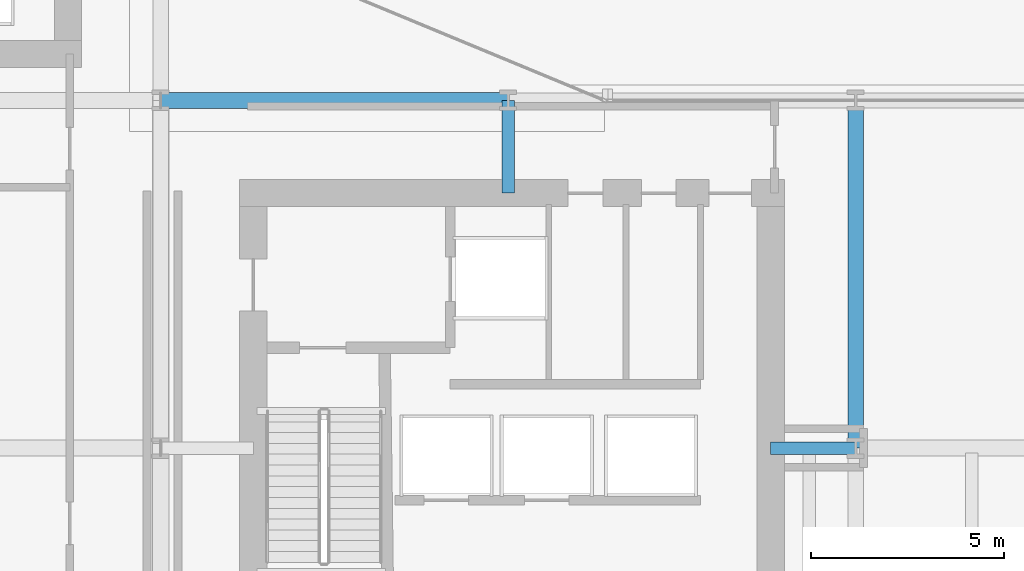
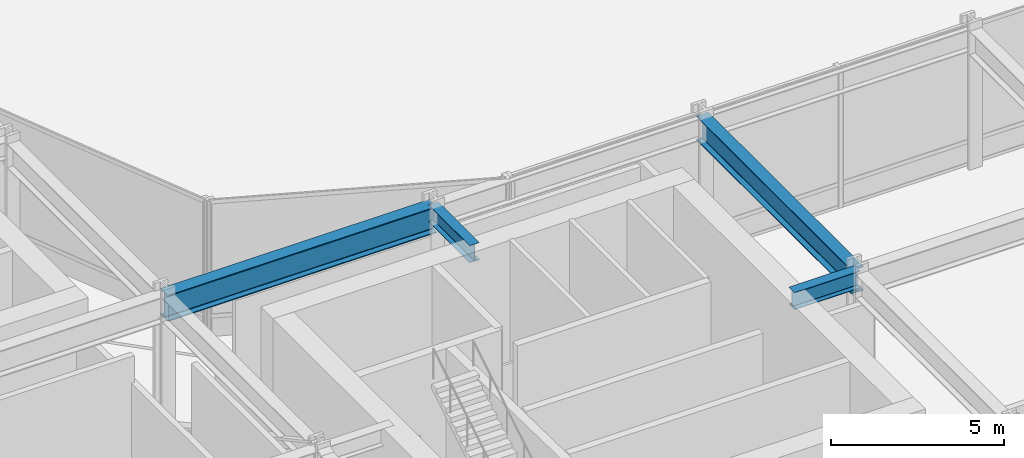
# One storey, part 12 of 37: 4 beams.
"""IFC4 building model written with IfcOpenShell, lengths in metres."""

from ifc_helpers import new_model, si_unit, direction, frame, origin, origin_2d, place, context, subcontext, project, spatial, i_section, extrude, material, material_profile, profile_set, type_object, element, save


model = new_model("IFC4")

# Units and contexts
model_context = context("Model", 3, precision=1e-05, world=origin(), true_north=direction((0.0, 1.0)))
body_context = subcontext(model_context, "Body", "Model", "MODEL_VIEW")
ifc_project = project(units=[si_unit("LENGTHUNIT", "METRE"), si_unit("AREAUNIT", "SQUARE_METRE"), si_unit("VOLUMEUNIT", "CUBIC_METRE"), si_unit("PLANEANGLEUNIT", "RADIAN"), si_unit("MASSUNIT", "GRAM", prefix="KILO")], contexts=[model_context])

# Site, building, storey
site_placement = place(None, origin())
site = spatial("IfcSite", under=ifc_project, at=site_placement, CompositionType="ELEMENT")
building_placement = place(site_placement, origin())
building = spatial("IfcBuilding", under=site, at=building_placement, Name="Solvaryn Broadcast Tower", CompositionType="ELEMENT")
storey_placement = place(building_placement, frame((0.0, 0.0, 30.800048828125)))
storey = spatial("IfcBuildingStorey", under=building, at=storey_placement, Name="L06", CompositionType="ELEMENT", Elevation=30.800048828125)

# Beams
ifc_material_1 = material(Name="Steel ASTM A992 Grade 50", Category="steel")
ifc_material_profile_1 = material_profile(ifc_material_1, i_section(OverallWidth=0.323974609375, OverallDepth=0.611083984375, WebThickness=0.0126953125, FlangeThickness=0.01904296875, FilletRadius=0.014892578125, at=origin_2d()))
ifc_profile_set_1 = profile_set([ifc_material_profile_1], Name="Steel ASTM A992 Grade 50")
beam_type_1 = type_object("IfcBeamType", Name="BM-B1-W24X104", PredefinedType="BEAM", material=ifc_profile_set_1)
beam_1_placement = place(storey_placement, frame((36.0, 24.60009765625, 4.614501953125), z_axis=(0.0, 1.0, 0.0), x_axis=(-1.0, 0.0, 0.0)))
element("IfcBeam", 1, at=beam_1_placement, inside=storey, type_object=beam_type_1, Name="L06 Core Tie Beam CTE2", PredefinedType="BEAM", context=body_context, shape_type="SweptSolid", body=[
    extrude(i_section(OverallWidth=0.323974609375, OverallDepth=0.611083984375, WebThickness=0.0126953125, FlangeThickness=0.01904296875, FilletRadius=0.014892578125, at=origin_2d()), origin(), (0.0, 0.0, 1.0), 2.39990234375),
])
beam_2_placement = place(storey_placement, frame((42.800048828125, 18.0, 4.614501953125), z_axis=(1.0, 0.0, 0.0), x_axis=(0.0, 1.0, 0.0)))
element("IfcBeam", 2, at=beam_2_placement, inside=storey, type_object=beam_type_1, Name="L06 Core Tie Beam CTE3", PredefinedType="BEAM", context=body_context, shape_type="SweptSolid", body=[
    extrude(i_section(OverallWidth=0.323974609375, OverallDepth=0.611083984375, WebThickness=0.0126953125, FlangeThickness=0.01904296875, FilletRadius=0.014892578125, at=origin_2d()), origin(), (0.0, 0.0, 1.0), 2.199951171875),
])
ifc_material_2 = material(Name="Steel ASTM A992 Grade 50", Category="steel")
ifc_material_profile_2 = material_profile(ifc_material_2, i_section(OverallWidth=0.41796875, OverallDepth=0.927001953125, WebThickness=0.019287109375, FlangeThickness=0.031982421875, FilletRadius=0.02392578125, at=origin_2d()))
ifc_profile_set_2 = profile_set([ifc_material_profile_2], Name="Steel ASTM A992 Grade 50")
beam_type_2 = type_object("IfcBeamType", Name="BM-G2-W36X231", PredefinedType="BEAM", material=ifc_profile_set_2)
beam_3_placement = place(storey_placement, frame((27.0, 27.0, 4.45654296875), z_axis=(1.0, 0.0, 0.0), x_axis=(0.0, 1.0, 0.0)))
element("IfcBeam", 3, at=beam_3_placement, inside=storey, type_object=beam_type_2, Name="L06 Primary Beam X (27-36 @ Y=27)", PredefinedType="BEAM", context=body_context, shape_type="SweptSolid", body=[
    extrude(i_section(OverallWidth=0.41796875, OverallDepth=0.927001953125, WebThickness=0.019287109375, FlangeThickness=0.031982421875, FilletRadius=0.02392578125, at=origin_2d()), origin(), (0.0, 0.0, 1.0), 9.0),
])
ifc_material_3 = material(Name="Steel ASTM A992 Grade 50", Category="steel")
ifc_material_profile_3 = material_profile(ifc_material_3, i_section(OverallWidth=0.39990234375, OverallDepth=0.85498046875, WebThickness=0.018310546875, FlangeThickness=0.029296875, FilletRadius=0.02001953125, at=origin_2d()))
ifc_profile_set_3 = profile_set([ifc_material_profile_3], Name="Steel ASTM A992 Grade 50")
beam_type_3 = type_object("IfcBeamType", Name="BM-G3-W33X201", PredefinedType="BEAM", material=ifc_profile_set_3)
beam_4_placement = place(storey_placement, frame((45.0, 18.0, 4.492431640625), z_axis=(0.0, 1.0, 0.0), x_axis=(-1.0, 0.0, 0.0)))
element("IfcBeam", 4, at=beam_4_placement, inside=storey, type_object=beam_type_3, Name="L06 Primary Beam Y (18-27 @ X=45)", PredefinedType="BEAM", context=body_context, shape_type="SweptSolid", body=[
    extrude(i_section(OverallWidth=0.39990234375, OverallDepth=0.85498046875, WebThickness=0.018310546875, FlangeThickness=0.029296875, FilletRadius=0.02001953125, at=origin_2d()), origin(), (0.0, 0.0, 1.0), 9.0),
])

save(model, "model.ifc")
